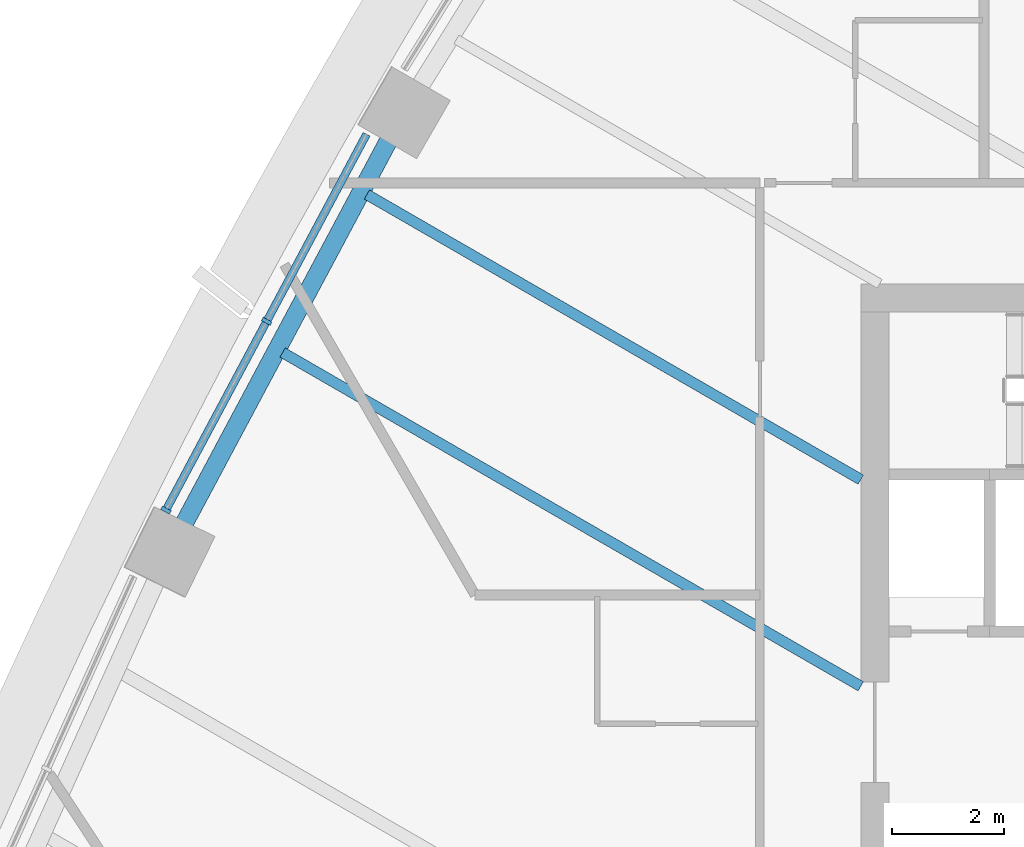
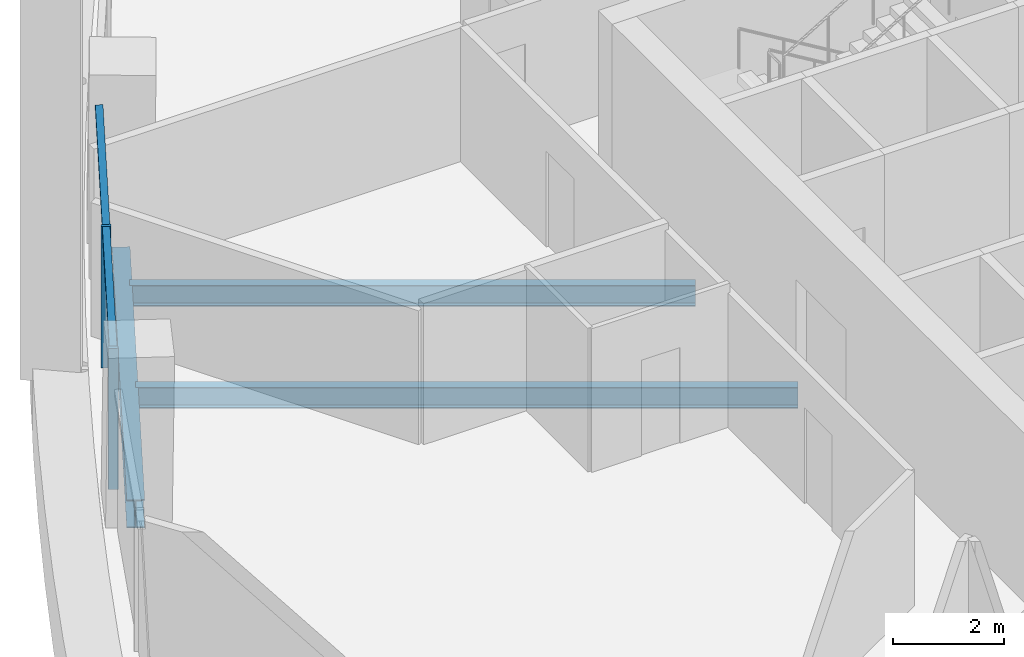
# One storey, part 3 of 22: 4 members, 3 beams, 1 element without a shape of its own.
"""IFC4 building model written with IfcOpenShell, lengths in metres."""

from ifc_helpers import new_model, si_unit, direction, frame, origin, origin_2d, place, context, subcontext, project, spatial, rectangle, i_section, extrude, material, layer, layer_set, material_profile, profile_set, type_object, element, aggregate, save


model = new_model("IFC4")

# Units and contexts
model_context = context("Model", 3, precision=1e-05, world=origin(), true_north=direction((0.0, 1.0)))
body_context = subcontext(model_context, "Body", "Model", "MODEL_VIEW")
ifc_project = project(units=[si_unit("LENGTHUNIT", "METRE"), si_unit("AREAUNIT", "SQUARE_METRE"), si_unit("VOLUMEUNIT", "CUBIC_METRE"), si_unit("PLANEANGLEUNIT", "RADIAN"), si_unit("MASSUNIT", "GRAM", prefix="KILO")], contexts=[model_context])

# Site, building, storey
site_placement = place(None, origin())
site = spatial("IfcSite", under=ifc_project, at=site_placement, CompositionType="ELEMENT")
building_placement = place(site_placement, origin())
building = spatial("IfcBuilding", under=site, at=building_placement, Name="Sierra Prisma Convention Tower", CompositionType="ELEMENT")
storey_placement = place(building_placement, frame((0.0, 0.0, 103.5)))
storey = spatial("IfcBuildingStorey", under=building, at=storey_placement, Name="L22", CompositionType="ELEMENT", Elevation=103.5)

# Curtain wall, members
ifc_material_1 = material(Name="Aluminium and glass curtain wall", Category="aluminium")
ifc_layer = layer(ifc_material_1, 0.179931640625)
ifc_layer_set = layer_set([ifc_layer], Name="CW-1 Plain shaft curtain wall")
curtain_wall_type = type_object("IfcCurtainWallType", Name="CW-1 Plain shaft curtain wall", PredefinedType="NOTDEFINED", material=ifc_layer_set)
curtain_wall_placement = place(storey_placement, origin())
curtain_wall = element("IfcCurtainWall", 1, at=curtain_wall_placement, inside=storey, type_object=curtain_wall_type, Name="CW-1 NW4 L22", PredefinedType="NOTDEFINED")
ifc_material_2 = material(Name="Aluminium 6063-T6 bronze anodised", Category="aluminium")
ifc_material_profile_1 = material_profile(ifc_material_2, rectangle(XDim=0.179931640625, YDim=0.070068359375, at=origin_2d()), Name="ALU MULLION 70x180")
ifc_profile_set_1 = profile_set([ifc_material_profile_1], Name="Aluminium 6063-T6 bronze anodised")
member_type_1 = type_object("IfcMemberType", Name="CW mullion bronze", PredefinedType="MULLION", material=ifc_profile_set_1)
member_1_placement = place(storey_placement, frame((-21.59814453125, 7.331298828125, 0.0), z_axis=(0.0, 0.0, 1.0), x_axis=(0.882201474209, -0.470872125852, 0.0)))
member_1 = element("IfcMember", 2, at=member_1_placement, type_object=member_type_1, Name="CW-1 mullion NW4.2", PredefinedType="MULLION", context=body_context, shape_type="SweptSolid", body=[
    extrude(rectangle(XDim=0.179931640625, YDim=0.070068359375, at=origin_2d()), origin(), (0.0, 0.0, 1.0), 3.10009765625),
])
member_2_placement = place(storey_placement, frame((-23.395751953125, 3.96337890625, 0.0), z_axis=(0.0, 0.0, 1.0), x_axis=(0.882201474209, -0.470872125852, 0.0)))
member_2 = element("IfcMember", 3, at=member_2_placement, type_object=member_type_1, Name="CW-1 mullion NW4.3", PredefinedType="MULLION", context=body_context, shape_type="SweptSolid", body=[
    extrude(rectangle(XDim=0.179931640625, YDim=0.070068359375, at=origin_2d()), origin(), (0.0, 0.0, 1.0), 3.10009765625),
])
ifc_material_3 = material(Name="Aluminium 6063-T6 bronze anodised", Category="aluminium")
ifc_material_profile_2 = material_profile(ifc_material_3, rectangle(XDim=0.139892578125, YDim=0.1201171875, at=origin_2d()), Name="ALU TRANSOM 120x140")
ifc_profile_set_2 = profile_set([ifc_material_profile_2], Name="Aluminium 6063-T6 bronze anodised")
member_type_2 = type_object("IfcMemberType", Name="CW transom bronze", PredefinedType="USERDEFINED", material=ifc_profile_set_2)
member_3_placement = place(storey_placement, frame((-19.817138671875, 10.668212890625, 3.0400390625), z_axis=(-0.470872236616, -0.882201415088, 0.0), x_axis=(0.882201415088, -0.470872236616, 0.0)))
member_3 = element("IfcMember", 4, at=member_3_placement, type_object=member_type_2, Name="CW-1 transom NW4.1", ObjectType="TRANSOM", PredefinedType="USERDEFINED", context=body_context, shape_type="SweptSolid", body=[
    extrude(rectangle(XDim=0.139892578125, YDim=0.1201171875, at=origin_2d()), origin(), (0.0, 0.0, 1.0), 3.74755859375),
])
member_4_placement = place(storey_placement, frame((-21.61474609375, 7.300537109375, 3.0400390625), z_axis=(-0.470872236616, -0.882201415088, 0.0), x_axis=(0.882201415088, -0.470872236616, 0.0)))
member_4 = element("IfcMember", 5, at=member_4_placement, type_object=member_type_2, Name="CW-1 transom NW4.2", ObjectType="TRANSOM", PredefinedType="USERDEFINED", context=body_context, shape_type="SweptSolid", body=[
    extrude(rectangle(XDim=0.139892578125, YDim=0.1201171875, at=origin_2d()), origin(), (0.0, 0.0, 1.0), 3.74755859375),
])
aggregate(curtain_wall, [member_1, member_2, member_3, member_4])

# Beams
ifc_material_4 = material(Name="Steel ASTM A992 Gr 50", Category="steel")
ifc_material_profile_3 = material_profile(ifc_material_4, i_section(OverallWidth=0.18994140625, OverallDepth=0.45703125, WebThickness=0.009033203125, FlangeThickness=0.014404296875, at=origin_2d()), Name="W460x74")
ifc_profile_set_3 = profile_set([ifc_material_profile_3], Name="Steel ASTM A992 Gr 50")
beam_type_1 = type_object("IfcBeamType", Name="Floor joist W460x74", PredefinedType="JOIST", material=ifc_profile_set_3)
beam_1_placement = place(storey_placement, frame((-19.81005859375, 9.593505859375, -0.37841796875), z_axis=(0.86602812451, -0.499995287536, 0.0), x_axis=(0.499995287536, 0.86602812451, 0.0)))
element("IfcBeam", 6, at=beam_1_placement, inside=storey, type_object=beam_type_1, Name="Floor joist L22 NW09", PredefinedType="JOIST", context=body_context, shape_type="SweptSolid", body=[
    extrude(i_section(OverallWidth=0.18994140625, OverallDepth=0.45703125, WebThickness=0.009033203125, FlangeThickness=0.014404296875, at=origin_2d()), origin(), (0.0, 0.0, 1.0), 10.1728515625),
])
beam_2_placement = place(storey_placement, frame((-21.314453125, 6.77490234375, -0.37841796875), z_axis=(0.866024464444, -0.500001626982, 0.0), x_axis=(0.500001626982, 0.866024464444, 0.0)))
element("IfcBeam", 7, at=beam_2_placement, inside=storey, type_object=beam_type_1, Name="Floor joist L22 NW10", PredefinedType="JOIST", context=body_context, shape_type="SweptSolid", body=[
    extrude(i_section(OverallWidth=0.18994140625, OverallDepth=0.45703125, WebThickness=0.009033203125, FlangeThickness=0.014404296875, at=origin_2d()), origin(), (0.0, 0.0, 1.0), 11.91015625),
])
ifc_material_5 = material(Name="Steel ASTM A992 Gr 50", Category="steel")
ifc_material_profile_4 = material_profile(ifc_material_5, i_section(OverallWidth=0.324951171875, OverallDepth=0.615966796875, WebThickness=0.013916015625, FlangeThickness=0.021484375, at=origin_2d()), Name="W610x174")
ifc_profile_set_4 = profile_set([ifc_material_profile_4], Name="Steel ASTM A992 Gr 50")
beam_type_2 = type_object("IfcBeamType", Name="Spandrel beam W610x174", PredefinedType="BEAM", material=ifc_profile_set_4)
beam_3_placement = place(storey_placement, frame((-19.38134765625, 10.635498046875, -0.4580078125), z_axis=(-0.470882208031, -0.882196092805, 0.0), x_axis=(0.882196092805, -0.470882208031, 0.0)))
element("IfcBeam", 8, at=beam_3_placement, inside=storey, type_object=beam_type_2, Name="Spandrel L22-16", PredefinedType="BEAM", context=body_context, shape_type="SweptSolid", body=[
    extrude(i_section(OverallWidth=0.324951171875, OverallDepth=0.615966796875, WebThickness=0.013916015625, FlangeThickness=0.021484375, at=origin_2d()), origin(), (0.0, 0.0, 1.0), 7.9306640625),
])

save(model, "model.ifc")
